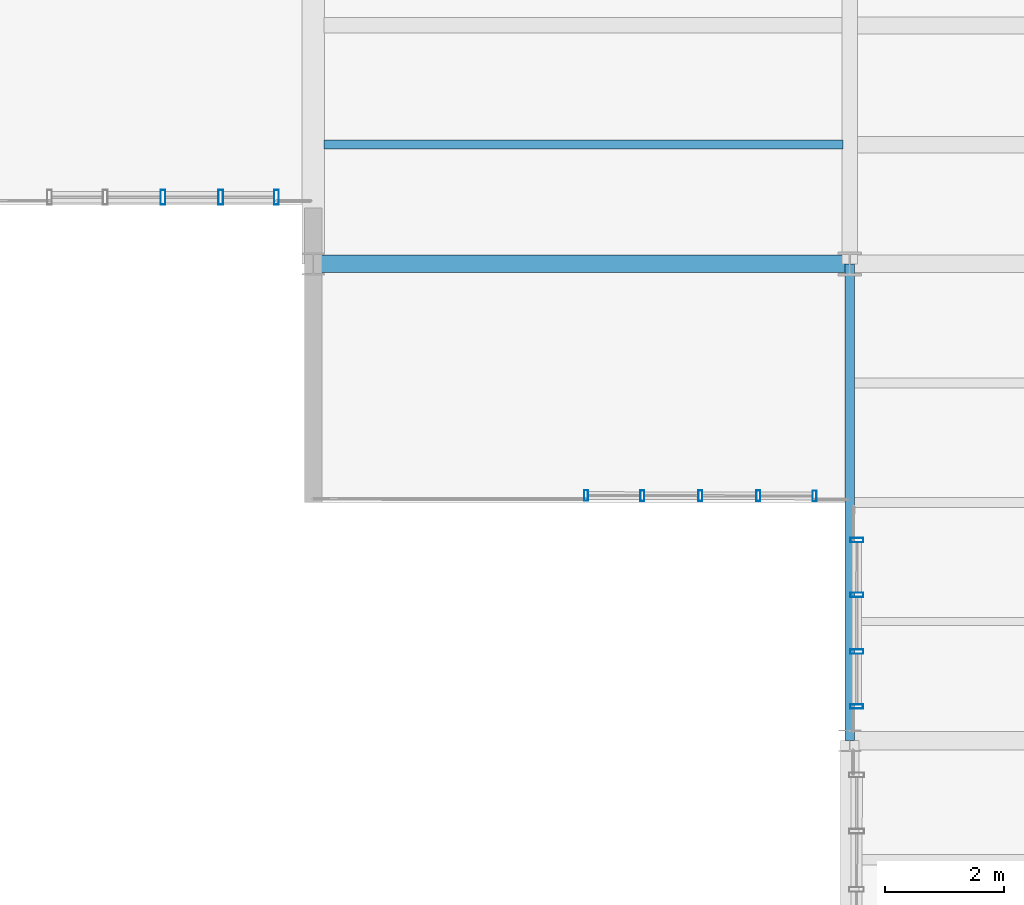
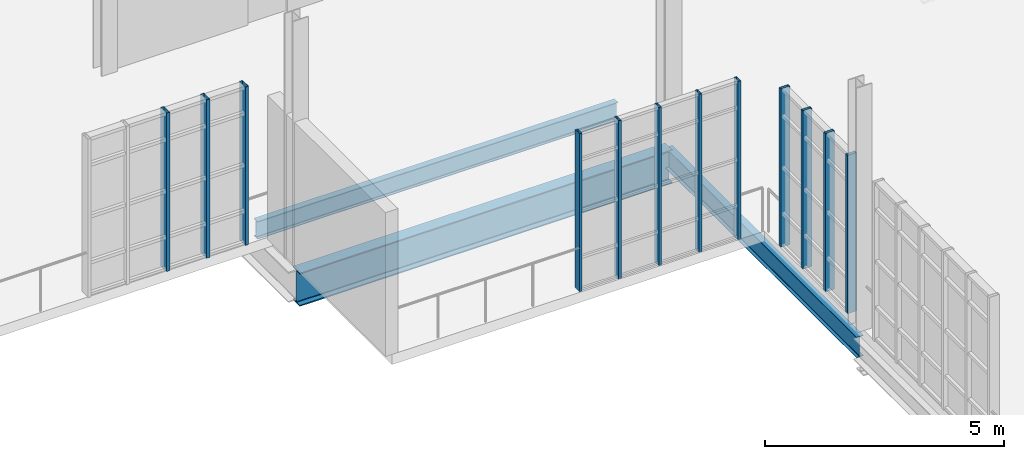
# One storey, part 50 of 118: 12 members, 3 beams, 3 elements without a shape of their own.
"""IFC4 building model written with IfcOpenShell, lengths in metres."""

from ifc_helpers import new_model, si_unit, direction, frame, origin, origin_2d, place, context, subcontext, project, spatial, hollow_rectangle, i_section, extrude, material, layer, layer_set, material_profile, profile_set, type_object, element, aggregate, save


model = new_model("IFC4")

# Units and contexts
model_context = context("Model", 3, precision=1e-05, world=origin(), true_north=direction((0.0, 1.0)))
body_context = subcontext(model_context, "Body", "Model", "MODEL_VIEW")
ifc_project = project(units=[si_unit("LENGTHUNIT", "METRE"), si_unit("AREAUNIT", "SQUARE_METRE"), si_unit("VOLUMEUNIT", "CUBIC_METRE"), si_unit("PLANEANGLEUNIT", "RADIAN"), si_unit("MASSUNIT", "GRAM", prefix="KILO"), si_unit("THERMODYNAMICTEMPERATUREUNIT", "KELVIN"), si_unit("POWERUNIT", "WATT")], contexts=[model_context])

# Site, building, storey
site_placement = place(None, origin())
site = spatial("IfcSite", under=ifc_project, at=site_placement, CompositionType="ELEMENT")
building_placement = place(site_placement, origin())
building = spatial("IfcBuilding", under=site, at=building_placement, Name="Zelmaris Science Centre", CompositionType="ELEMENT")
storey_placement = place(building_placement, frame((0.0, 0.0, 15.60009765625)))
storey = spatial("IfcBuildingStorey", under=building, at=storey_placement, Name="L03", CompositionType="ELEMENT", Elevation=15.60009765625)

# Curtain wall, members
ifc_material_1 = material(Name="Anodised architectural aluminium 6063-T6", Category="aluminium")
ifc_layer_1 = layer(ifc_material_1, 0.2099609375, Name="Anodised architectural aluminium 6063-T6")
ifc_layer_set_1 = layer_set([ifc_layer_1], Name="Anodised architectural aluminium 6063-T6")
curtain_wall_type_1 = type_object("IfcCurtainWallType", Name="Curtain Wall CW-03", PredefinedType="USERDEFINED", material=ifc_layer_set_1)
curtain_wall_1_placement = place(storey_placement, origin())
curtain_wall_1 = element("IfcCurtainWall", 1, at=curtain_wall_1_placement, inside=storey, type_object=curtain_wall_type_1, Name="L03 Unitised curtain wall 327", ObjectType="GLAZED CURTAIN WALL", PredefinedType="USERDEFINED")
ifc_material_profile_1 = material_profile(ifc_material_1, hollow_rectangle(XDim=0.06494140625, YDim=0.179931640625, WallThickness=0.00390625, at=origin_2d()), Name="ALU-MUL-65X180")
ifc_profile_set_1 = profile_set([ifc_material_profile_1], Name="Anodised architectural aluminium 6063-T6")
member_type_1 = type_object("IfcMemberType", Name="ALU-MUL-65X180", PredefinedType="MULLION", material=ifc_profile_set_1)
member_1_placement = place(storey_placement, frame((116.409912109375, 44.107177734375, -0.01513671875), z_axis=(0.0, 0.0, 1.0), x_axis=(-0.999998836551, 0.001525417175, 0.0)))
member_1 = element("IfcMember", 2, at=member_1_placement, type_object=member_type_1, Name="CW-03 mullion 1", PredefinedType="MULLION", context=body_context, shape_type="SweptSolid", body=[
    extrude(hollow_rectangle(XDim=0.06494140625, YDim=0.179931640625, WallThickness=0.00390625, at=origin_2d()), origin(), (0.0, 0.0, 1.0), 4.044921875),
])
member_2_placement = place(storey_placement, frame((115.466064453125, 44.108642578125, -0.01513671875), z_axis=(0.0, 0.0, 1.0), x_axis=(-0.999998836551, 0.001525417175, 0.0)))
member_2 = element("IfcMember", 3, at=member_2_placement, type_object=member_type_1, Name="CW-03 mullion 2", PredefinedType="MULLION", context=body_context, shape_type="SweptSolid", body=[
    extrude(hollow_rectangle(XDim=0.06494140625, YDim=0.179931640625, WallThickness=0.00390625, at=origin_2d()), origin(), (0.0, 0.0, 1.0), 4.044921875),
])
member_3_placement = place(storey_placement, frame((114.493896484375, 44.110107421875, -0.01513671875), z_axis=(0.0, 0.0, 1.0), x_axis=(-0.999998836551, 0.001525417175, 0.0)))
member_3 = element("IfcMember", 4, at=member_3_placement, type_object=member_type_1, Name="CW-03 mullion 3", PredefinedType="MULLION", context=body_context, shape_type="SweptSolid", body=[
    extrude(hollow_rectangle(XDim=0.06494140625, YDim=0.179931640625, WallThickness=0.00390625, at=origin_2d()), origin(), (0.0, 0.0, 1.0), 4.044921875),
])
member_4_placement = place(storey_placement, frame((113.521484375, 44.111572265625, -0.01513671875), z_axis=(0.0, 0.0, 1.0), x_axis=(-0.999998836551, 0.001525417175, 0.0)))
member_4 = element("IfcMember", 5, at=member_4_placement, type_object=member_type_1, Name="CW-03 mullion 4", PredefinedType="MULLION", context=body_context, shape_type="SweptSolid", body=[
    extrude(hollow_rectangle(XDim=0.06494140625, YDim=0.179931640625, WallThickness=0.00390625, at=origin_2d()), origin(), (0.0, 0.0, 1.0), 4.044921875),
])
member_5_placement = place(storey_placement, frame((112.577880859375, 44.113037109375, -0.01513671875), z_axis=(0.0, 0.0, 1.0), x_axis=(-0.999998836551, 0.001525417175, 0.0)))
member_5 = element("IfcMember", 6, at=member_5_placement, type_object=member_type_1, Name="CW-03 mullion 5", PredefinedType="MULLION", context=body_context, shape_type="SweptSolid", body=[
    extrude(hollow_rectangle(XDim=0.06494140625, YDim=0.179931640625, WallThickness=0.00390625, at=origin_2d()), origin(), (0.0, 0.0, 1.0), 4.044921875),
])
aggregate(curtain_wall_1, [member_1, member_2, member_3, member_4, member_5])

ifc_layer_2 = layer(ifc_material_1, 0.199951171875, Name="Anodised architectural aluminium 6063-T6")
ifc_layer_set_2 = layer_set([ifc_layer_2], Name="Anodised architectural aluminium 6063-T6")
curtain_wall_type_2 = type_object("IfcCurtainWallType", Name="Curtain Wall CW-02", PredefinedType="USERDEFINED", material=ifc_layer_set_2)
curtain_wall_2_placement = place(storey_placement, origin())
curtain_wall_2 = element("IfcCurtainWall", 7, at=curtain_wall_2_placement, inside=storey, type_object=curtain_wall_type_2, Name="L03 Unitised curtain wall 326", ObjectType="GLAZED CURTAIN WALL", PredefinedType="USERDEFINED")
ifc_material_profile_2 = material_profile(ifc_material_1, hollow_rectangle(XDim=0.074951171875, YDim=0.219970703125, WallThickness=0.0048828125, at=origin_2d()), Name="ALU-MUL-75X220")
ifc_profile_set_2 = profile_set([ifc_material_profile_2], Name="Anodised architectural aluminium 6063-T6")
member_type_2 = type_object("IfcMemberType", Name="ALU-MUL-75X220", PredefinedType="MULLION", material=ifc_profile_set_2)
member_6_placement = place(storey_placement, frame((117.116455078125, 40.573486328125, -0.01513671875), z_axis=(0.0, 0.0, 1.0), x_axis=(0.001019272107, 0.999999480542, 0.0)))
member_6 = element("IfcMember", 8, at=member_6_placement, type_object=member_type_2, Name="CW-02 mullion 1", PredefinedType="MULLION", context=body_context, shape_type="SweptSolid", body=[
    extrude(hollow_rectangle(XDim=0.074951171875, YDim=0.219970703125, WallThickness=0.0048828125, at=origin_2d()), origin(), (0.0, 0.0, 1.0), 4.044921875),
])
member_7_placement = place(storey_placement, frame((117.117431640625, 41.4931640625, -0.01513671875), z_axis=(0.0, 0.0, 1.0), x_axis=(0.001019272107, 0.999999480542, 0.0)))
member_7 = element("IfcMember", 9, at=member_7_placement, type_object=member_type_2, Name="CW-02 mullion 2", PredefinedType="MULLION", context=body_context, shape_type="SweptSolid", body=[
    extrude(hollow_rectangle(XDim=0.074951171875, YDim=0.219970703125, WallThickness=0.0048828125, at=origin_2d()), origin(), (0.0, 0.0, 1.0), 4.044921875),
])
member_8_placement = place(storey_placement, frame((117.118408203125, 42.446533203125, -0.01513671875), z_axis=(0.0, 0.0, 1.0), x_axis=(0.001019272107, 0.999999480542, 0.0)))
member_8 = element("IfcMember", 10, at=member_8_placement, type_object=member_type_2, Name="CW-02 mullion 3", PredefinedType="MULLION", context=body_context, shape_type="SweptSolid", body=[
    extrude(hollow_rectangle(XDim=0.074951171875, YDim=0.219970703125, WallThickness=0.0048828125, at=origin_2d()), origin(), (0.0, 0.0, 1.0), 4.044921875),
])
member_9_placement = place(storey_placement, frame((117.119384765625, 43.366455078125, -0.01513671875), z_axis=(0.0, 0.0, 1.0), x_axis=(0.001019272107, 0.999999480542, 0.0)))
member_9 = element("IfcMember", 11, at=member_9_placement, type_object=member_type_2, Name="CW-02 mullion 4", PredefinedType="MULLION", context=body_context, shape_type="SweptSolid", body=[
    extrude(hollow_rectangle(XDim=0.074951171875, YDim=0.219970703125, WallThickness=0.0048828125, at=origin_2d()), origin(), (0.0, 0.0, 1.0), 4.044921875),
])
aggregate(curtain_wall_2, [member_6, member_7, member_8, member_9])

ifc_layer_3 = layer(ifc_material_1, 0.18994140625, Name="Anodised architectural aluminium 6063-T6")
ifc_layer_set_3 = layer_set([ifc_layer_3], Name="Anodised architectural aluminium 6063-T6")
curtain_wall_type_3 = type_object("IfcCurtainWallType", Name="Curtain Wall CW-01", PredefinedType="USERDEFINED", material=ifc_layer_set_3)
curtain_wall_3_placement = place(storey_placement, origin())
curtain_wall_3 = element("IfcCurtainWall", 12, at=curtain_wall_3_placement, inside=storey, type_object=curtain_wall_type_3, Name="L03 Unitised curtain wall 329", ObjectType="GLAZED CURTAIN WALL", PredefinedType="USERDEFINED")
ifc_material_profile_3 = material_profile(ifc_material_1, hollow_rectangle(XDim=0.080078125, YDim=0.25, WallThickness=0.0048828125, at=origin_2d()), Name="ALU-MUL-80X250")
ifc_profile_set_3 = profile_set([ifc_material_profile_3], Name="Anodised architectural aluminium 6063-T6")
member_type_3 = type_object("IfcMemberType", Name="ALU-MUL-80X250", PredefinedType="MULLION", material=ifc_profile_set_3)
member_10_placement = place(storey_placement, frame((107.38134765625, 49.11767578125, -0.01513671875), z_axis=(0.0, 0.0, 1.0), x_axis=(-0.999999955983, 0.000296705968, 0.0)))
member_10 = element("IfcMember", 13, at=member_10_placement, type_object=member_type_3, Name="CW-01 mullion 1", PredefinedType="MULLION", context=body_context, shape_type="SweptSolid", body=[
    extrude(hollow_rectangle(XDim=0.080078125, YDim=0.25, WallThickness=0.0048828125, at=origin_2d()), origin(), (0.0, 0.0, 1.0), 4.044921875),
])
member_11_placement = place(storey_placement, frame((106.44775390625, 49.117919921875, -0.01513671875), z_axis=(0.0, 0.0, 1.0), x_axis=(-0.999999955983, 0.000296705968, 0.0)))
member_11 = element("IfcMember", 14, at=member_11_placement, type_object=member_type_3, Name="CW-01 mullion 2", PredefinedType="MULLION", context=body_context, shape_type="SweptSolid", body=[
    extrude(hollow_rectangle(XDim=0.080078125, YDim=0.25, WallThickness=0.0048828125, at=origin_2d()), origin(), (0.0, 0.0, 1.0), 4.044921875),
])
member_12_placement = place(storey_placement, frame((105.47802734375, 49.1181640625, -0.01513671875), z_axis=(0.0, 0.0, 1.0), x_axis=(-0.999999955983, 0.000296705968, 0.0)))
member_12 = element("IfcMember", 15, at=member_12_placement, type_object=member_type_3, Name="CW-01 mullion 3", PredefinedType="MULLION", context=body_context, shape_type="SweptSolid", body=[
    extrude(hollow_rectangle(XDim=0.080078125, YDim=0.25, WallThickness=0.0048828125, at=origin_2d()), origin(), (0.0, 0.0, 1.0), 4.044921875),
])
aggregate(curtain_wall_3, [member_10, member_11, member_12])

# Beams
ifc_material_2 = material(Name="Steel ASTM A992 Grade 50", Category="steel")
ifc_material_profile_4 = material_profile(ifc_material_2, i_section(OverallWidth=0.294921875, OverallDepth=0.85107421875, WebThickness=0.01611328125, FlangeThickness=0.02685546875, FilletRadius=0.02001953125, at=origin_2d()), Name="W33X152")
ifc_profile_set_4 = profile_set([ifc_material_profile_4], Name="Steel ASTM A992 Grade 50")
beam_type_1 = type_object("IfcBeamType", Name="Beam G-06 W33X152", PredefinedType="BEAM", material=ifc_profile_set_4)
beam_1_placement = place(storey_placement, frame((108.0, 48.0, -0.685546875), z_axis=(1.0, 0.0, 0.0), x_axis=(0.0, 1.0, 0.0)))
element("IfcBeam", 16, at=beam_1_placement, inside=storey, type_object=beam_type_1, Name="L03 East-west girder 746", PredefinedType="BEAM", context=body_context, shape_type="SweptSolid", body=[
    extrude(i_section(OverallWidth=0.294921875, OverallDepth=0.85107421875, WebThickness=0.01611328125, FlangeThickness=0.02685546875, FilletRadius=0.02001953125, at=origin_2d()), origin(), (0.0, 0.0, 1.0), 9.0),
])
ifc_material_profile_5 = material_profile(ifc_material_2, i_section(OverallWidth=0.1650390625, OverallDepth=0.52587890625, WebThickness=0.0087890625, FlangeThickness=0.011474609375, FilletRadius=0.013916015625, at=origin_2d()), Name="W21X44")
ifc_profile_set_5 = profile_set([ifc_material_profile_5], Name="Steel ASTM A992 Grade 50")
beam_type_2 = type_object("IfcBeamType", Name="Beam G-40 W21X44", PredefinedType="BEAM", material=ifc_profile_set_5)
beam_2_placement = place(storey_placement, frame((117.0, 40.0, -0.523193359375), z_axis=(0.0, 1.0, 0.0), x_axis=(-1.0, 0.0, 0.0)))
element("IfcBeam", 17, at=beam_2_placement, inside=storey, type_object=beam_type_2, Name="L03 North-south girder 711", PredefinedType="BEAM", context=body_context, shape_type="SweptSolid", body=[
    extrude(i_section(OverallWidth=0.1650390625, OverallDepth=0.52587890625, WebThickness=0.0087890625, FlangeThickness=0.011474609375, FilletRadius=0.013916015625, at=origin_2d()), origin(), (0.0, 0.0, 1.0), 8.0),
])
ifc_material_profile_6 = material_profile(ifc_material_2, i_section(OverallWidth=0.152099609375, OverallDepth=0.455078125, WebThickness=0.008056640625, FlangeThickness=0.01318359375, FilletRadius=0.012939453125, at=origin_2d()), Name="W18X40")
ifc_profile_set_6 = profile_set([ifc_material_profile_6], Name="Steel ASTM A992 Grade 50")
beam_type_3 = type_object("IfcBeamType", Name="Beam J-05 W18X40", PredefinedType="JOIST", material=ifc_profile_set_6)
beam_3_placement = place(storey_placement, frame((108.175537109375, 50.0, -0.487548828125), z_axis=(1.0, 0.0, 0.0), x_axis=(0.0, 1.0, 0.0)))
element("IfcBeam", 18, at=beam_3_placement, inside=storey, type_object=beam_type_3, Name="L03 Composite floor joist 346", PredefinedType="JOIST", context=body_context, shape_type="SweptSolid", body=[
    extrude(i_section(OverallWidth=0.152099609375, OverallDepth=0.455078125, WebThickness=0.008056640625, FlangeThickness=0.01318359375, FilletRadius=0.012939453125, at=origin_2d()), origin(), (0.0, 0.0, 1.0), 8.71240234375),
])

save(model, "model.ifc")
